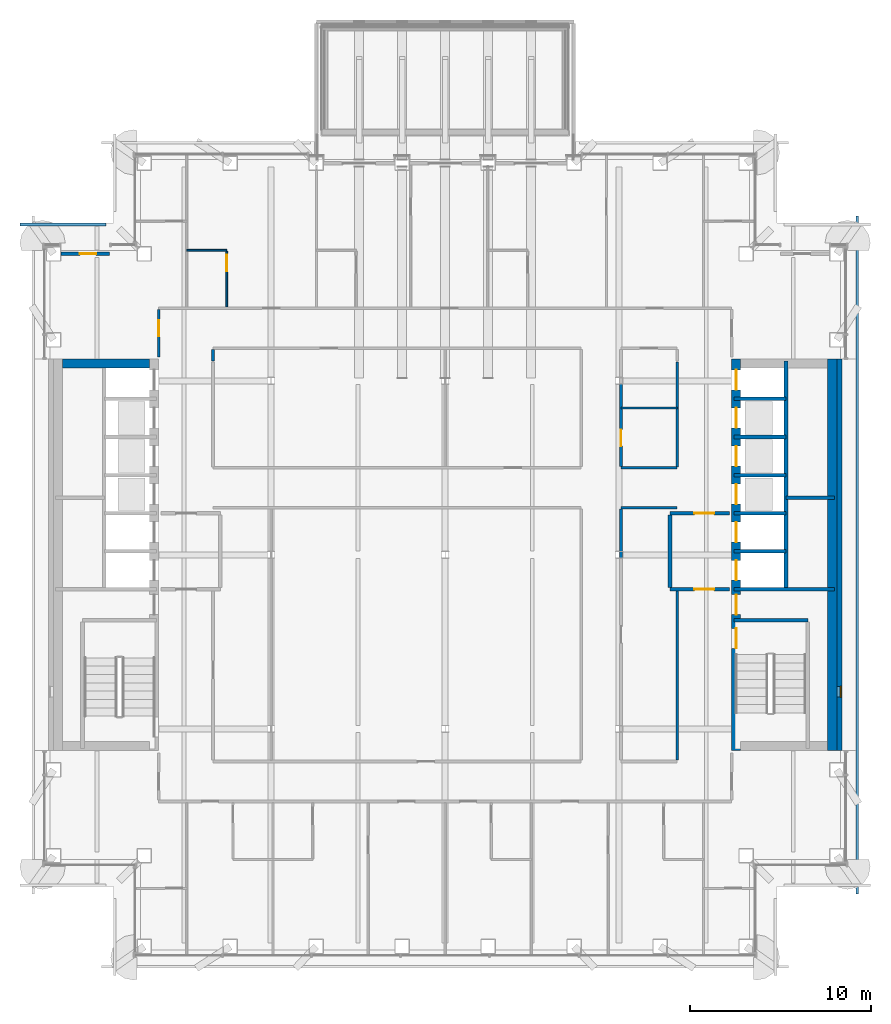
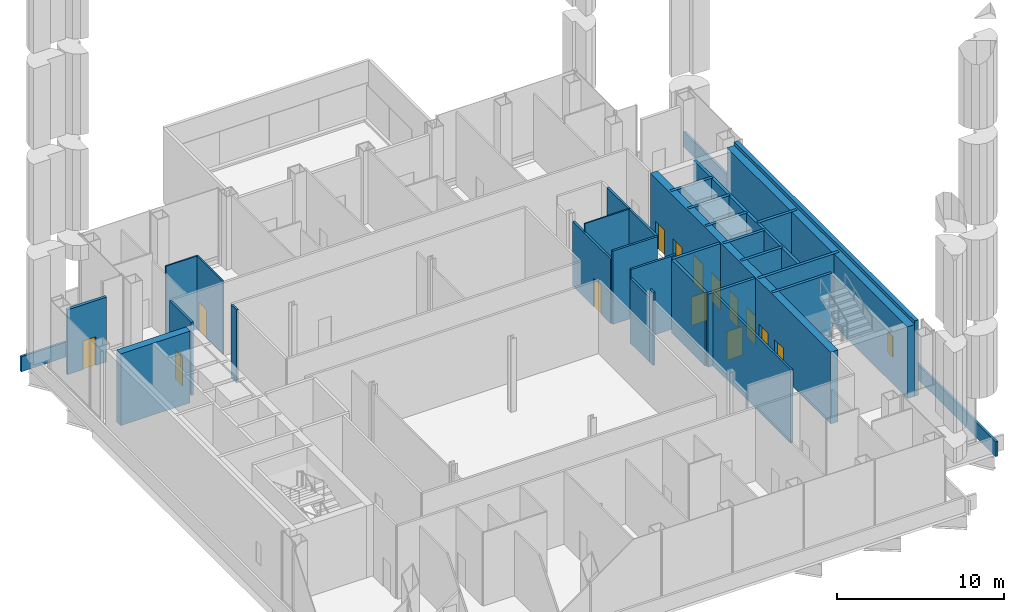
# One storey, part 12 of 22: 31 walls, 14 doors, 1 window, 15 openings.
"""IFC4 building model written with IfcOpenShell, lengths in metres."""

from ifc_helpers import new_model, si_unit, direction, frame, frame_2d, origin, place, context, subcontext, project, spatial, rectangle, extrude, material, layer, layer_set, type_object, element, fill, save


model = new_model("IFC4")

# Units and contexts
model_context = context("Model", 3, precision=1e-05, world=origin(), true_north=direction((0.0, 1.0)))
body_context = subcontext(model_context, "Body", "Model", "MODEL_VIEW")
ifc_project = project(units=[si_unit("LENGTHUNIT", "METRE"), si_unit("AREAUNIT", "SQUARE_METRE"), si_unit("VOLUMEUNIT", "CUBIC_METRE"), si_unit("PLANEANGLEUNIT", "RADIAN"), si_unit("MASSUNIT", "GRAM", prefix="KILO")], contexts=[model_context])

# Site, building, storey
site_placement = place(None, origin())
site = spatial("IfcSite", under=ifc_project, at=site_placement, CompositionType="ELEMENT")
building_placement = place(site_placement, origin())
building = spatial("IfcBuilding", under=site, at=building_placement, Name="Cobrizo Arcos Hotel Tower", CompositionType="ELEMENT")
storey_placement = place(building_placement, frame((0.0, 0.0, 142.5)))
storey = spatial("IfcBuildingStorey", under=building, at=storey_placement, Name="L36", CompositionType="ELEMENT", Elevation=142.5)

# Walls
ifc_material_1 = material(Name="Gypsum board partition")
ifc_layer_1 = layer(ifc_material_1, 0.14990234375)
ifc_layer_set_1 = layer_set([ifc_layer_1], Name="Corridor wall EI 60 150")
wall_type_1 = type_object("IfcWallType", Name="Corridor wall EI 60 150", PredefinedType="PARTITIONING", material=ifc_layer_set_1)
for number, where, z_axis, x_axis, name in (
    (1, (9.699951171875, 2.60009765625, 0.0), (0.0, 0.0, 1.0), (1.0, 0.0, 0.0), "Partition 022"),
    (2, (9.699951171875, 4.800048828125, 0.0), (0.0, 0.0, 1.0), (1.0, 0.0, 0.0), "Partition 028"),
):
    element("IfcWall", number, at=place(storey_placement, frame(where, z_axis=z_axis, x_axis=x_axis)), inside=storey, type_object=wall_type_1, Name=name, PredefinedType="PARTITIONING", context=body_context, shape_type="SweptSolid", body=[
        extrude(rectangle(XDim=3.10009765625, YDim=0.14990234375, at=frame_2d((1.550048828125, 0.0))), origin(), (0.0, 0.0, 1.0), 5.35009765625),
    ])

# Wall, opening, door
wall_1_placement = place(storey_placement, frame((-15.800048828125, 10.919921875, 0.0), z_axis=(0.0, 0.0, 1.0), x_axis=(0.0, 1.0, 0.0)))
wall_1 = element("IfcWall", 3, at=wall_1_placement, inside=storey, type_object=wall_type_1, Name="Partition 047", PredefinedType="PARTITIONING", context=body_context, shape_type="SweptSolid", body=[
    extrude(rectangle(XDim=2.60498046875, YDim=0.14990234375, at=frame_2d((1.302490234375, 0.0))), origin(), (0.0, 0.0, 1.0), 5.35009765625),
])
opening_1_placement = place(wall_1_placement, frame((1.1298828125, 0.0, 0.0)))
opening_1 = element("IfcOpeningElement", 4, at=opening_1_placement, cuts=wall_1, Name="Opening RD-13", PredefinedType="OPENING", context=body_context, shape_type="SweptSolid", body=[
    extrude(rectangle(XDim=0.89990234375, YDim=2.10009765625, at=frame_2d((0.449951171875, 1.050048828125))), frame((0.0, 0.0869140625, 0.0), z_axis=(0.0, -1.0, 0.0), x_axis=(1.0, 0.0, 0.0)), (0.0, 0.0, 1.0), 0.173828125),
])
ifc_material_2 = material(Name="Timber door leaf", Category="wood")
door_type_1 = type_object("IfcDoorType", Name="Room door FD30 900x2100", OperationType="SINGLE_SWING_LEFT", PredefinedType="DOOR", material=ifc_material_2)
door_1_placement = place(opening_1_placement, origin())
door_1 = element("IfcDoor", 5, at=door_1_placement, inside=storey, type_object=door_type_1, Name="Door RD-13", OperationType="SINGLE_SWING_LEFT", OverallHeight=2.10009765625, OverallWidth=0.89990234375, PredefinedType="DOOR", context=body_context, shape_type="SweptSolid", body=[
    extrude(rectangle(XDim=0.89990234375, YDim=2.10009765625, at=frame_2d((0.449951171875, 1.050048828125))), frame((0.0, 0.02490234375, 0.0), z_axis=(0.0, -1.0, 0.0), x_axis=(1.0, 0.0, 0.0)), (0.0, 0.0, 1.0), 0.050048828125),
])
fill(opening_1, door_1)

# Walls
wall_2_placement = place(storey_placement, frame((-12.800048828125, 10.699951171875, 0.0), z_axis=(0.0, 0.0, 1.0), x_axis=(0.0, 1.0, 0.0)))
element("IfcWall", 6, at=wall_2_placement, inside=storey, type_object=wall_type_1, Name="Partition 052", PredefinedType="PARTITIONING", context=body_context, shape_type="SweptSolid", body=[
    extrude(rectangle(XDim=0.625, YDim=0.14990234375, at=frame_2d((0.3125, 0.0))), origin(), (0.0, 0.0, 1.0), 5.35009765625),
])
wall_3_placement = place(storey_placement, frame((9.699951171875, -0.18701171875, 0.0), z_axis=(0.0, 0.0, 1.0), x_axis=(0.0, 1.0, 0.0)))
element("IfcWall", 7, at=wall_3_placement, inside=storey, type_object=wall_type_1, Name="Partition 085", PredefinedType="PARTITIONING", context=body_context, shape_type="SweptSolid", body=[
    extrude(rectangle(XDim=0.3740234375, YDim=0.14990234375, at=frame_2d((0.18701171875, 0.0))), origin(), (0.0, 0.0, 1.0), 5.35009765625),
])
wall_4_placement = place(storey_placement, frame((9.699951171875, 0.18701171875, 0.0), z_axis=(0.0, 0.0, 1.0), x_axis=(0.0, 1.0, 0.0)))
element("IfcWall", 8, at=wall_4_placement, inside=storey, type_object=wall_type_1, Name="Partition 086", PredefinedType="PARTITIONING", context=body_context, shape_type="SweptSolid", body=[
    extrude(rectangle(XDim=2.337890625, YDim=0.14990234375, at=frame_2d((1.1689453125, 0.0))), origin(), (0.0, 0.0, 1.0), 4.72802734375),
])

# Wall, opening, door
wall_5_placement = place(storey_placement, frame((9.699951171875, 4.875, 0.0), z_axis=(0.0, 0.0, 1.0), x_axis=(0.0, 1.0, 0.0)))
wall_5 = element("IfcWall", 9, at=wall_5_placement, inside=storey, type_object=wall_type_1, Name="Partition 087", PredefinedType="PARTITIONING", context=body_context, shape_type="SweptSolid", body=[
    extrude(rectangle(XDim=4.5380859375, YDim=0.14990234375, at=frame_2d((2.26904296875, 0.0))), origin(), (0.0, 0.0, 1.0), 4.72802734375),
])
opening_2_placement = place(wall_5_placement, frame((1.125, 0.0, 0.0)))
opening_2 = element("IfcOpeningElement", 10, at=opening_2_placement, cuts=wall_5, Name="Opening ED-12", PredefinedType="OPENING", context=body_context, shape_type="SweptSolid", body=[
    extrude(rectangle(XDim=0.89990234375, YDim=2.10009765625, at=frame_2d((0.449951171875, 1.050048828125))), frame((0.0, 0.0869140625, 0.0), z_axis=(0.0, -1.0, 0.0), x_axis=(1.0, 0.0, 0.0)), (0.0, 0.0, 1.0), 0.173828125),
])
door_type_2 = type_object("IfcDoorType", Name="En-suite door 900x2100", OperationType="SINGLE_SWING_LEFT", PredefinedType="DOOR", material=ifc_material_2)
door_2_placement = place(opening_2_placement, origin())
door_2 = element("IfcDoor", 11, at=door_2_placement, inside=storey, type_object=door_type_2, Name="Door ED-12", OperationType="SINGLE_SWING_RIGHT", OverallHeight=2.10009765625, OverallWidth=0.89990234375, PredefinedType="DOOR", context=body_context, shape_type="SweptSolid", body=[
    extrude(rectangle(XDim=0.89990234375, YDim=2.10009765625, at=frame_2d((0.449951171875, 1.050048828125))), frame((0.0, 0.02490234375, 0.0), z_axis=(0.0, -1.0, 0.0), x_axis=(1.0, 0.0, 0.0)), (0.0, 0.0, 1.0), 0.050048828125),
])
fill(opening_2, door_2)

# Walls
wall_6_placement = place(storey_placement, frame((12.800048828125, -11.324951171875, 0.0), z_axis=(0.0, 0.0, 1.0), x_axis=(0.0, 1.0, 0.0)))
element("IfcWall", 12, at=wall_6_placement, inside=storey, type_object=wall_type_1, Name="Partition 092", PredefinedType="PARTITIONING", context=body_context, shape_type="SweptSolid", body=[
    extrude(rectangle(XDim=9.324951171875, YDim=0.14990234375, at=frame_2d((4.66259765625, 0.0))), origin(), (0.0, 0.0, 1.0), 5.35009765625),
])
wall_7_placement = place(storey_placement, frame((12.800048828125, 4.85009765625, 0.0), z_axis=(0.0, 0.0, 1.0), x_axis=(0.0, 1.0, 0.0)))
element("IfcWall", 13, at=wall_7_placement, inside=storey, type_object=wall_type_1, Name="Partition 093", PredefinedType="PARTITIONING", context=body_context, shape_type="SweptSolid", body=[
    extrude(rectangle(XDim=5.7998046875, YDim=0.14990234375, at=frame_2d((2.89990234375, 0.0))), origin(), (0.0, 0.0, 1.0), 5.35009765625),
])

# Wall, opening, window
ifc_material_3 = material(Name="Aluminium composite panel pale metal", Category="aluminium")
ifc_layer_2 = layer(ifc_material_3, 0.27490234375)
ifc_layer_set_2 = layer_set([ifc_layer_2], Name="EW-1 insulated panel wall 275")
wall_type_2 = type_object("IfcWallType", Name="EW-1 insulated panel wall 275", PredefinedType="SOLIDWALL", material=ifc_layer_set_2)
wall_8_placement = place(storey_placement, frame((21.737548828125, -10.800048828125, 0.0), z_axis=(0.0, 0.0, 1.0), x_axis=(0.0, 1.0, 0.0)))
wall_8 = element("IfcWall", 14, at=wall_8_placement, inside=storey, type_object=wall_type_2, Name="Core face wall L36 E", PredefinedType="SOLIDWALL", context=body_context, shape_type="SweptSolid", body=[
    extrude(rectangle(XDim=21.60009765625, YDim=0.27490234375, at=frame_2d((10.800048828125, 0.0))), origin(), (0.0, 0.0, 1.0), 5.5),
])
opening_3_placement = place(wall_8_placement, frame((2.949951171875, 0.0, 1.0)))
opening_3 = element("IfcOpeningElement", 15, at=opening_3_placement, cuts=wall_8, Name="Opening W-79", PredefinedType="OPENING", context=body_context, shape_type="SweptSolid", body=[
    extrude(rectangle(XDim=0.60009765625, YDim=1.5, at=frame_2d((0.300048828125, 0.75))), frame((0.0, 0.1494140625, 0.0), z_axis=(0.0, -1.0, 0.0), x_axis=(1.0, 0.0, 0.0)), (0.0, 0.0, 1.0), 0.298828125),
])
ifc_material_4 = material(Name="Aluminium 6063-T6 and clear laminated glass", Category="aluminium")
window_type = type_object("IfcWindowType", Name="W-C1 core stair slot window 600x1500", PartitioningType="SINGLE_PANEL", PredefinedType="WINDOW", material=ifc_material_4)
window_placement = place(opening_3_placement, origin())
window = element("IfcWindow", 16, at=window_placement, inside=storey, type_object=window_type, Name="Core face wall L36 E window W-79", OverallHeight=1.5, OverallWidth=0.60009765625, PartitioningType="SINGLE_PANEL", PredefinedType="WINDOW", context=body_context, shape_type="SweptSolid", body=[
    extrude(rectangle(XDim=0.60009765625, YDim=1.5, at=frame_2d((0.300048828125, 0.75))), frame((0.0, -0.04736328125, 0.0), z_axis=(0.0, -1.0, 0.0), x_axis=(1.0, 0.0, 0.0)), (0.0, 0.0, 1.0), 0.06005859375),
])
fill(opening_3, window)

# Wall, opening, door
ifc_material_5 = material(Name="Aluminium 6063-T6 anodised pale", Category="aluminium")
ifc_layer_3 = layer(ifc_material_5, 0.199951171875)
ifc_layer_set_3 = layer_set([ifc_layer_3], Name="EW-5 terrace door infill wall")
wall_type_3 = type_object("IfcWallType", Name="EW-5 terrace door infill wall", PredefinedType="SOLIDWALL", material=ifc_layer_set_3)
wall_9_placement = place(storey_placement, frame((-18.5, 16.60009765625, 0.0), z_axis=(0.0, 0.0, 1.0), x_axis=(-1.0, 0.0, 0.0)))
wall_9 = element("IfcWall", 17, at=wall_9_placement, inside=storey, type_object=wall_type_3, Name="Terrace door infill wall L36 N", PredefinedType="SOLIDWALL", context=body_context, shape_type="SweptSolid", body=[
    extrude(rectangle(XDim=2.699951171875, YDim=0.199951171875, at=frame_2d((1.35009765625, 0.0))), origin(), (0.0, 0.0, 1.0), 4.742919921875),
])
opening_4_placement = place(wall_9_placement, frame((0.75, 0.0, 0.0)))
opening_4 = element("IfcOpeningElement", 18, at=opening_4_placement, cuts=wall_9, Name="Opening E-17", PredefinedType="OPENING", context=body_context, shape_type="SweptSolid", body=[
    extrude(rectangle(XDim=0.89990234375, YDim=2.10009765625, at=frame_2d((0.449951171875, 1.050048828125))), frame((0.0, 0.112060546875, 0.0), z_axis=(0.0, -1.0, 0.0), x_axis=(1.0, 0.0, 0.0)), (0.0, 0.0, 1.0), 0.223876953125),
])
door_type_3 = type_object("IfcDoorType", Name="D-T1 terrace door 900x2100", OperationType="SINGLE_SWING_LEFT", PredefinedType="DOOR", material=ifc_material_4)
door_3_placement = place(opening_4_placement, origin())
door_3 = element("IfcDoor", 19, at=door_3_placement, inside=storey, type_object=door_type_3, Name="Terrace door infill wall L36 N door E-17", OperationType="SINGLE_SWING_LEFT", OverallHeight=2.10009765625, OverallWidth=0.89990234375, PredefinedType="DOOR", context=body_context, shape_type="SweptSolid", body=[
    extrude(rectangle(XDim=0.89990234375, YDim=2.10009765625, at=frame_2d((0.449951171875, 1.050048828125))), frame((0.0, 0.02490234375, 0.0), z_axis=(0.0, -1.0, 0.0), x_axis=(1.0, 0.0, 0.0)), (0.0, 0.0, 1.0), 0.050048828125),
])
fill(opening_4, door_3)

# Walls
ifc_layer_4 = layer(ifc_material_3, 0.14990234375)
ifc_layer_set_4 = layer_set([ifc_layer_4], Name="PW-3 terrace parapet wall")
wall_type_4 = type_object("IfcWallType", Name="PW-3 terrace parapet wall", PredefinedType="PARAPET", material=ifc_layer_set_4)
wall_10_placement = place(storey_placement, frame((22.72509765625, -18.699951171875, 0.0), z_axis=(0.0, 0.0, 1.0), x_axis=(0.0, 1.0, 0.0)))
element("IfcWall", 20, at=wall_10_placement, inside=storey, type_object=wall_type_4, Name="Parapet L35 E", PredefinedType="PARAPET", context=body_context, shape_type="SweptSolid", body=[
    extrude(rectangle(XDim=37.39990234375, YDim=0.14990234375, at=frame_2d((18.699951171875, 0.0))), origin(), (0.0, 0.0, 1.0), 1.10009765625),
])
wall_11_placement = place(storey_placement, frame((-18.699951171875, 18.22509765625, 0.0), z_axis=(0.0, 0.0, 1.0), x_axis=(-1.0, 0.0, 0.0)))
element("IfcWall", 21, at=wall_11_placement, inside=storey, type_object=wall_type_4, Name="Parapet L35 N", PredefinedType="PARAPET", context=body_context, shape_type="SweptSolid", body=[
    extrude(rectangle(XDim=4.75, YDim=0.14990234375, at=frame_2d((2.375, 0.0))), origin(), (0.0, 0.0, 1.0), 1.10009765625),
])
ifc_layer_5 = layer(ifc_material_1, 0.10009765625)
ifc_layer_set_5 = layer_set([ifc_layer_5], Name="Partition EI 30 100")
wall_type_5 = type_object("IfcWallType", Name="Partition EI 30 100", PredefinedType="PARTITIONING", material=ifc_layer_set_5)
wall_12_placement = place(storey_placement, frame((9.699951171875, 8.10009765625, 0.0), z_axis=(0.0, 0.0, 1.0), x_axis=(1.0, 0.0, 0.0)))
element("IfcWall", 22, at=wall_12_placement, inside=storey, type_object=wall_type_5, Name="Partition 031", PredefinedType="PARTITIONING", context=body_context, shape_type="SweptSolid", body=[
    extrude(rectangle(XDim=3.10009765625, YDim=0.10009765625, at=frame_2d((1.550048828125, 0.0))), origin(), (0.0, 0.0, 1.0), 5.35009765625),
])
wall_13_placement = place(storey_placement, frame((-14.25, 16.800048828125, 0.0), z_axis=(0.0, 0.0, 1.0), x_axis=(1.0, 0.0, 0.0)))
element("IfcWall", 23, at=wall_13_placement, inside=storey, type_object=wall_type_5, Name="Partition 037", PredefinedType="PARTITIONING", context=body_context, shape_type="SweptSolid", body=[
    extrude(rectangle(XDim=2.199951171875, YDim=0.10009765625, at=frame_2d((1.10009765625, 0.0))), origin(), (0.0, 0.0, 1.0), 5.35009765625),
])

# Wall, opening, door
wall_14_placement = place(storey_placement, frame((-12.050048828125, 13.675048828125, 0.0), z_axis=(0.0, 0.0, 1.0), x_axis=(0.0, 1.0, 0.0)))
wall_14 = element("IfcWall", 24, at=wall_14_placement, inside=storey, type_object=wall_type_5, Name="Partition 054", PredefinedType="PARTITIONING", context=body_context, shape_type="SweptSolid", body=[
    extrude(rectangle(XDim=3.074951171875, YDim=0.10009765625, at=frame_2d((1.53759765625, 0.0))), origin(), (0.0, 0.0, 1.0), 5.35009765625),
])
opening_5_placement = place(wall_14_placement, frame((1.970947265625, 0.0, 0.0)))
opening_5 = element("IfcOpeningElement", 25, at=opening_5_placement, cuts=wall_14, Name="Opening ED-01", PredefinedType="OPENING", context=body_context, shape_type="SweptSolid", body=[
    extrude(rectangle(XDim=0.89990234375, YDim=2.10009765625, at=frame_2d((0.449951171875, 1.050048828125))), frame((0.0, 0.06201171875, 0.0), z_axis=(0.0, -1.0, 0.0), x_axis=(1.0, 0.0, 0.0)), (0.0, 0.0, 1.0), 0.1240234375),
])
door_4_placement = place(opening_5_placement, origin())
door_4 = element("IfcDoor", 26, at=door_4_placement, inside=storey, type_object=door_type_2, Name="Door ED-01", OperationType="SINGLE_SWING_LEFT", OverallHeight=2.10009765625, OverallWidth=0.89990234375, PredefinedType="DOOR", context=body_context, shape_type="SweptSolid", body=[
    extrude(rectangle(XDim=0.89990234375, YDim=2.10009765625, at=frame_2d((0.449951171875, 1.050048828125))), frame((0.0, 0.02490234375, 0.0), z_axis=(0.0, -1.0, 0.0), x_axis=(1.0, 0.0, 0.0)), (0.0, 0.0, 1.0), 0.050048828125),
])
fill(opening_5, door_4)

# Wall, openings, doors
ifc_material_6 = material(Name="Concrete f'c 50 MPa", Category="concrete")
ifc_layer_6 = layer(ifc_material_6, 0.5)
ifc_layer_set_6 = layer_set([ifc_layer_6], Name="RC core wall 500 f'c 50")
wall_type_6 = type_object("IfcWallType", Name="RC core wall 500 f'c 50", PredefinedType="SHEAR", material=ifc_layer_set_6)
wall_15_placement = place(storey_placement, frame((16.050048828125, -10.800048828125, 0.0), z_axis=(0.0, 0.0, 1.0), x_axis=(0.0, 1.0, 0.0)))
wall_15 = element("IfcWall", 27, at=wall_15_placement, inside=storey, type_object=wall_type_6, Name="Core wall CW3, east core, inner face, L36", PredefinedType="SHEAR", context=body_context, shape_type="SweptSolid", body=[
    extrude(rectangle(XDim=21.60009765625, YDim=0.5, at=frame_2d((10.800048828125, 0.0))), origin(), (0.0, 0.0, 1.0), 5.25),
])
opening_6_placement = place(wall_15_placement, frame((9.39990234375, 0.0, 0.0)))
opening_6 = element("IfcOpeningElement", 28, at=opening_6_placement, cuts=wall_15, Name="Opening LD-07", PredefinedType="OPENING", context=body_context, shape_type="SweptSolid", body=[
    extrude(rectangle(XDim=1.10009765625, YDim=2.10009765625, at=frame_2d((0.550048828125, 1.050048828125))), frame((0.0, 0.261962890625, 0.0), z_axis=(0.0, -1.0, 0.0), x_axis=(1.0, 0.0, 0.0)), (0.0, 0.0, 1.0), 0.52392578125),
])
opening_7_placement = place(wall_15_placement, frame((11.5, 0.0, 0.0)))
opening_7 = element("IfcOpeningElement", 29, at=opening_7_placement, cuts=wall_15, Name="Opening LD-08", PredefinedType="OPENING", context=body_context, shape_type="SweptSolid", body=[
    extrude(rectangle(XDim=1.10009765625, YDim=2.10009765625, at=frame_2d((0.550048828125, 1.050048828125))), frame((0.0, 0.261962890625, 0.0), z_axis=(0.0, -1.0, 0.0), x_axis=(1.0, 0.0, 0.0)), (0.0, 0.0, 1.0), 0.52392578125),
])
opening_8_placement = place(wall_15_placement, frame((13.60009765625, 0.0, 0.0)))
opening_8 = element("IfcOpeningElement", 30, at=opening_8_placement, cuts=wall_15, Name="Opening LD-09", PredefinedType="OPENING", context=body_context, shape_type="SweptSolid", body=[
    extrude(rectangle(XDim=1.10009765625, YDim=2.10009765625, at=frame_2d((0.550048828125, 1.050048828125))), frame((0.0, 0.261962890625, 0.0), z_axis=(0.0, -1.0, 0.0), x_axis=(1.0, 0.0, 0.0)), (0.0, 0.0, 1.0), 0.52392578125),
])
opening_9_placement = place(wall_15_placement, frame((15.699951171875, 0.0, 0.0)))
opening_9 = element("IfcOpeningElement", 31, at=opening_9_placement, cuts=wall_15, Name="Opening LD-10", PredefinedType="OPENING", context=body_context, shape_type="SweptSolid", body=[
    extrude(rectangle(XDim=1.10009765625, YDim=2.10009765625, at=frame_2d((0.550048828125, 1.050048828125))), frame((0.0, 0.261962890625, 0.0), z_axis=(0.0, -1.0, 0.0), x_axis=(1.0, 0.0, 0.0)), (0.0, 0.0, 1.0), 0.52392578125),
])
opening_10_placement = place(wall_15_placement, frame((17.800048828125, 0.0, 0.0)))
opening_10 = element("IfcOpeningElement", 32, at=opening_10_placement, cuts=wall_15, Name="Opening LD-11", PredefinedType="OPENING", context=body_context, shape_type="SweptSolid", body=[
    extrude(rectangle(XDim=1.10009765625, YDim=2.10009765625, at=frame_2d((0.550048828125, 1.050048828125))), frame((0.0, 0.261962890625, 0.0), z_axis=(0.0, -1.0, 0.0), x_axis=(1.0, 0.0, 0.0)), (0.0, 0.0, 1.0), 0.52392578125),
])
opening_11_placement = place(wall_15_placement, frame((19.89990234375, 0.0, 0.0)))
opening_11 = element("IfcOpeningElement", 33, at=opening_11_placement, cuts=wall_15, Name="Opening LD-12", PredefinedType="OPENING", context=body_context, shape_type="SweptSolid", body=[
    extrude(rectangle(XDim=1.10009765625, YDim=2.10009765625, at=frame_2d((0.550048828125, 1.050048828125))), frame((0.0, 0.261962890625, 0.0), z_axis=(0.0, -1.0, 0.0), x_axis=(1.0, 0.0, 0.0)), (0.0, 0.0, 1.0), 0.52392578125),
])
opening_12_placement = place(wall_15_placement, frame((5.64208984375, 0.0, 0.0)))
opening_12 = element("IfcOpeningElement", 34, at=opening_12_placement, cuts=wall_15, Name="Opening SD-02", PredefinedType="OPENING", context=body_context, shape_type="SweptSolid", body=[
    extrude(rectangle(XDim=1.10009765625, YDim=2.10009765625, at=frame_2d((0.550048828125, 1.050048828125))), frame((0.0, 0.261962890625, 0.0), z_axis=(0.0, -1.0, 0.0), x_axis=(1.0, 0.0, 0.0)), (0.0, 0.0, 1.0), 0.52392578125),
])
opening_13_placement = place(wall_15_placement, frame((7.5, 0.0, 0.0)))
opening_13 = element("IfcOpeningElement", 35, at=opening_13_placement, cuts=wall_15, Name="Opening FD-04", PredefinedType="OPENING", context=body_context, shape_type="SweptSolid", body=[
    extrude(rectangle(XDim=1.10009765625, YDim=2.10009765625, at=frame_2d((0.550048828125, 1.050048828125))), frame((0.0, 0.261962890625, 0.0), z_axis=(0.0, -1.0, 0.0), x_axis=(1.0, 0.0, 0.0)), (0.0, 0.0, 1.0), 0.52392578125),
])
ifc_material_7 = material(Name="Steel door leaf", Category="steel")
door_type_4 = type_object("IfcDoorType", Name="Fire door FD60 1100x2100", OperationType="SINGLE_SWING_LEFT", PredefinedType="DOOR", material=ifc_material_7)
door_5_placement = place(opening_13_placement, origin())
door_5 = element("IfcDoor", 36, at=door_5_placement, inside=storey, type_object=door_type_4, Name="Door FD-04", OperationType="SINGLE_SWING_LEFT", OverallHeight=2.10009765625, OverallWidth=1.10009765625, PredefinedType="DOOR", context=body_context, shape_type="SweptSolid", body=[
    extrude(rectangle(XDim=1.10009765625, YDim=2.10009765625, at=frame_2d((0.550048828125, 1.050048828125))), frame((0.0, 0.02490234375, 0.0), z_axis=(0.0, -1.0, 0.0), x_axis=(1.0, 0.0, 0.0)), (0.0, 0.0, 1.0), 0.050048828125),
])
fill(opening_13, door_5)
door_type_5 = type_object("IfcDoorType", Name="Lift landing door 1100x2100", OperationType="SLIDING_TO_LEFT", PredefinedType="DOOR", material=ifc_material_7)
door_6_placement = place(opening_6_placement, origin())
door_6 = element("IfcDoor", 37, at=door_6_placement, inside=storey, type_object=door_type_5, Name="Lift landing door LD-07", OperationType="SLIDING_TO_LEFT", OverallHeight=2.10009765625, OverallWidth=1.10009765625, PredefinedType="DOOR", context=body_context, shape_type="SweptSolid", body=[
    extrude(rectangle(XDim=1.10009765625, YDim=2.10009765625, at=frame_2d((0.550048828125, 1.050048828125))), frame((0.0, 0.02490234375, 0.0), z_axis=(0.0, -1.0, 0.0), x_axis=(1.0, 0.0, 0.0)), (0.0, 0.0, 1.0), 0.050048828125),
])
fill(opening_6, door_6)
door_7_placement = place(opening_7_placement, origin())
door_7 = element("IfcDoor", 38, at=door_7_placement, inside=storey, type_object=door_type_5, Name="Lift landing door LD-08", OperationType="SLIDING_TO_LEFT", OverallHeight=2.10009765625, OverallWidth=1.10009765625, PredefinedType="DOOR", context=body_context, shape_type="SweptSolid", body=[
    extrude(rectangle(XDim=1.10009765625, YDim=2.10009765625, at=frame_2d((0.550048828125, 1.050048828125))), frame((0.0, 0.02490234375, 0.0), z_axis=(0.0, -1.0, 0.0), x_axis=(1.0, 0.0, 0.0)), (0.0, 0.0, 1.0), 0.050048828125),
])
fill(opening_7, door_7)
door_8_placement = place(opening_8_placement, origin())
door_8 = element("IfcDoor", 39, at=door_8_placement, inside=storey, type_object=door_type_5, Name="Lift landing door LD-09", OperationType="SLIDING_TO_LEFT", OverallHeight=2.10009765625, OverallWidth=1.10009765625, PredefinedType="DOOR", context=body_context, shape_type="SweptSolid", body=[
    extrude(rectangle(XDim=1.10009765625, YDim=2.10009765625, at=frame_2d((0.550048828125, 1.050048828125))), frame((0.0, 0.02490234375, 0.0), z_axis=(0.0, -1.0, 0.0), x_axis=(1.0, 0.0, 0.0)), (0.0, 0.0, 1.0), 0.050048828125),
])
fill(opening_8, door_8)
door_9_placement = place(opening_9_placement, origin())
door_9 = element("IfcDoor", 40, at=door_9_placement, inside=storey, type_object=door_type_5, Name="Lift landing door LD-10", OperationType="SLIDING_TO_LEFT", OverallHeight=2.10009765625, OverallWidth=1.10009765625, PredefinedType="DOOR", context=body_context, shape_type="SweptSolid", body=[
    extrude(rectangle(XDim=1.10009765625, YDim=2.10009765625, at=frame_2d((0.550048828125, 1.050048828125))), frame((0.0, 0.02490234375, 0.0), z_axis=(0.0, -1.0, 0.0), x_axis=(1.0, 0.0, 0.0)), (0.0, 0.0, 1.0), 0.050048828125),
])
fill(opening_9, door_9)
door_10_placement = place(opening_10_placement, origin())
door_10 = element("IfcDoor", 41, at=door_10_placement, inside=storey, type_object=door_type_5, Name="Lift landing door LD-11", OperationType="SLIDING_TO_LEFT", OverallHeight=2.10009765625, OverallWidth=1.10009765625, PredefinedType="DOOR", context=body_context, shape_type="SweptSolid", body=[
    extrude(rectangle(XDim=1.10009765625, YDim=2.10009765625, at=frame_2d((0.550048828125, 1.050048828125))), frame((0.0, 0.02490234375, 0.0), z_axis=(0.0, -1.0, 0.0), x_axis=(1.0, 0.0, 0.0)), (0.0, 0.0, 1.0), 0.050048828125),
])
fill(opening_10, door_10)
door_11_placement = place(opening_11_placement, origin())
door_11 = element("IfcDoor", 42, at=door_11_placement, inside=storey, type_object=door_type_5, Name="Lift landing door LD-12", OperationType="SLIDING_TO_LEFT", OverallHeight=2.10009765625, OverallWidth=1.10009765625, PredefinedType="DOOR", context=body_context, shape_type="SweptSolid", body=[
    extrude(rectangle(XDim=1.10009765625, YDim=2.10009765625, at=frame_2d((0.550048828125, 1.050048828125))), frame((0.0, 0.02490234375, 0.0), z_axis=(0.0, -1.0, 0.0), x_axis=(1.0, 0.0, 0.0)), (0.0, 0.0, 1.0), 0.050048828125),
])
fill(opening_11, door_11)
door_type_6 = type_object("IfcDoorType", Name="Stair door FD60S 1100x2100", OperationType="SINGLE_SWING_LEFT", PredefinedType="DOOR", material=ifc_material_7)
door_12_placement = place(opening_12_placement, origin())
door_12 = element("IfcDoor", 43, at=door_12_placement, inside=storey, type_object=door_type_6, Name="Door SD-02", OperationType="SINGLE_SWING_RIGHT", OverallHeight=2.10009765625, OverallWidth=1.10009765625, PredefinedType="DOOR", context=body_context, shape_type="SweptSolid", body=[
    extrude(rectangle(XDim=1.10009765625, YDim=2.10009765625, at=frame_2d((0.550048828125, 1.050048828125))), frame((0.0, 0.02490234375, 0.0), z_axis=(0.0, -1.0, 0.0), x_axis=(1.0, 0.0, 0.0)), (0.0, 0.0, 1.0), 0.050048828125),
])
fill(opening_12, door_12)

# Walls
wall_16_placement = place(storey_placement, frame((21.35009765625, -10.800048828125, 0.0), z_axis=(0.0, 0.0, 1.0), x_axis=(0.0, 1.0, 0.0)))
element("IfcWall", 44, at=wall_16_placement, inside=storey, type_object=wall_type_6, Name="Core wall CW3, east core, outer face, L36", PredefinedType="SHEAR", context=body_context, shape_type="SweptSolid", body=[
    extrude(rectangle(XDim=21.60009765625, YDim=0.5, at=frame_2d((10.800048828125, 0.0))), origin(), (0.0, 0.0, 1.0), 5.25),
])
wall_17_placement = place(storey_placement, frame((-21.10009765625, 10.550048828125, 0.0), z_axis=(0.0, 0.0, 1.0), x_axis=(1.0, 0.0, 0.0)))
element("IfcWall", 45, at=wall_17_placement, inside=storey, type_object=wall_type_6, Name="Core wall CW3, west core, north end, L36", PredefinedType="SHEAR", context=body_context, shape_type="SweptSolid", body=[
    extrude(rectangle(XDim=4.800048828125, YDim=0.5, at=frame_2d((2.39990234375, 0.0))), origin(), (0.0, 0.0, 1.0), 5.25),
])

# Wall, opening, door
ifc_layer_7 = layer(ifc_material_1, 0.199951171875)
ifc_layer_set_7 = layer_set([ifc_layer_7], Name="Shaft wall EI 120 200")
wall_type_7 = type_object("IfcWallType", Name="Shaft wall EI 120 200", PredefinedType="PARTITIONING", material=ifc_layer_set_7)
wall_18_placement = place(storey_placement, frame((12.39990234375, -1.89990234375, 0.0), z_axis=(0.0, 0.0, 1.0), x_axis=(1.0, 0.0, 0.0)))
wall_18 = element("IfcWall", 46, at=wall_18_placement, inside=storey, type_object=wall_type_7, Name="Partition 013", PredefinedType="PARTITIONING", context=body_context, shape_type="SweptSolid", body=[
    extrude(rectangle(XDim=3.280029296875, YDim=0.199951171875, at=frame_2d((1.64013671875, 0.0))), origin(), (0.0, 0.0, 1.0), 5.35009765625),
])
opening_14_placement = place(wall_18_placement, frame((1.340087890625, 0.0, 0.0)))
opening_14 = element("IfcOpeningElement", 47, at=opening_14_placement, cuts=wall_18, Name="Opening FD-06", PredefinedType="OPENING", context=body_context, shape_type="SweptSolid", body=[
    extrude(rectangle(XDim=1.10009765625, YDim=2.10009765625, at=frame_2d((0.550048828125, 1.050048828125))), frame((0.0, 0.112060546875, 0.0), z_axis=(0.0, -1.0, 0.0), x_axis=(1.0, 0.0, 0.0)), (0.0, 0.0, 1.0), 0.223876953125),
])
door_13_placement = place(opening_14_placement, origin())
door_13 = element("IfcDoor", 48, at=door_13_placement, inside=storey, type_object=door_type_4, Name="Door FD-06", OperationType="SINGLE_SWING_RIGHT", OverallHeight=2.10009765625, OverallWidth=1.10009765625, PredefinedType="DOOR", context=body_context, shape_type="SweptSolid", body=[
    extrude(rectangle(XDim=1.10009765625, YDim=2.10009765625, at=frame_2d((0.550048828125, 1.050048828125))), frame((0.0, 0.02490234375, 0.0), z_axis=(0.0, -1.0, 0.0), x_axis=(1.0, 0.0, 0.0)), (0.0, 0.0, 1.0), 0.050048828125),
])
fill(opening_14, door_13)

# Walls
wall_19_placement = place(storey_placement, frame((15.919921875, -1.89990234375, 0.0), z_axis=(0.0, 0.0, 1.0), x_axis=(1.0, 0.0, 0.0)))
element("IfcWall", 49, at=wall_19_placement, inside=storey, type_object=wall_type_7, Name="Partition 014", PredefinedType="PARTITIONING", context=body_context, shape_type="SweptSolid", body=[
    extrude(rectangle(XDim=5.56005859375, YDim=0.199951171875, at=frame_2d((2.780029296875, 0.0))), origin(), (0.0, 0.0, 1.0), 5.25),
])
wall_20_placement = place(storey_placement, frame((15.919921875, 0.199951171875, 0.0), z_axis=(0.0, 0.0, 1.0), x_axis=(1.0, 0.0, 0.0)))
element("IfcWall", 50, at=wall_20_placement, inside=storey, type_object=wall_type_7, Name="Partition 016", PredefinedType="PARTITIONING", context=body_context, shape_type="SweptSolid", body=[
    extrude(rectangle(XDim=2.880126953125, YDim=0.199951171875, at=frame_2d((1.43994140625, 0.0))), origin(), (0.0, 0.0, 1.0), 5.25),
])

# Wall, opening, door
wall_21_placement = place(storey_placement, frame((12.39990234375, 2.300048828125, 0.0), z_axis=(0.0, 0.0, 1.0), x_axis=(1.0, 0.0, 0.0)))
wall_21 = element("IfcWall", 51, at=wall_21_placement, inside=storey, type_object=wall_type_7, Name="Partition 019", PredefinedType="PARTITIONING", context=body_context, shape_type="SweptSolid", body=[
    extrude(rectangle(XDim=3.280029296875, YDim=0.199951171875, at=frame_2d((1.64013671875, 0.0))), origin(), (0.0, 0.0, 1.0), 5.35009765625),
])
opening_15_placement = place(wall_21_placement, frame((1.340087890625, 0.0, 0.0)))
opening_15 = element("IfcOpeningElement", 52, at=opening_15_placement, cuts=wall_21, Name="Opening FD-05", PredefinedType="OPENING", context=body_context, shape_type="SweptSolid", body=[
    extrude(rectangle(XDim=1.10009765625, YDim=2.10009765625, at=frame_2d((0.550048828125, 1.050048828125))), frame((0.0, 0.112060546875, 0.0), z_axis=(0.0, -1.0, 0.0), x_axis=(1.0, 0.0, 0.0)), (0.0, 0.0, 1.0), 0.223876953125),
])
door_14_placement = place(opening_15_placement, origin())
door_14 = element("IfcDoor", 53, at=door_14_placement, inside=storey, type_object=door_type_4, Name="Door FD-05", OperationType="SINGLE_SWING_RIGHT", OverallHeight=2.10009765625, OverallWidth=1.10009765625, PredefinedType="DOOR", context=body_context, shape_type="SweptSolid", body=[
    extrude(rectangle(XDim=1.10009765625, YDim=2.10009765625, at=frame_2d((0.550048828125, 1.050048828125))), frame((0.0, 0.02490234375, 0.0), z_axis=(0.0, -1.0, 0.0), x_axis=(1.0, 0.0, 0.0)), (0.0, 0.0, 1.0), 0.050048828125),
])
fill(opening_15, door_14)

# Walls
wall_22_placement = place(storey_placement, frame((15.919921875, 2.300048828125, 0.0), z_axis=(0.0, 0.0, 1.0), x_axis=(1.0, 0.0, 0.0)))
element("IfcWall", 54, at=wall_22_placement, inside=storey, type_object=wall_type_7, Name="Partition 020", PredefinedType="PARTITIONING", context=body_context, shape_type="SweptSolid", body=[
    extrude(rectangle(XDim=2.880126953125, YDim=0.199951171875, at=frame_2d((1.43994140625, 0.0))), origin(), (0.0, 0.0, 1.0), 5.25),
])
wall_23_placement = place(storey_placement, frame((18.800048828125, 3.14990234375, 0.0), z_axis=(0.0, 0.0, 1.0), x_axis=(1.0, 0.0, 0.0)))
element("IfcWall", 55, at=wall_23_placement, inside=storey, type_object=wall_type_7, Name="Partition 024", PredefinedType="PARTITIONING", context=body_context, shape_type="SweptSolid", body=[
    extrude(rectangle(XDim=2.679931640625, YDim=0.199951171875, at=frame_2d((1.33984375, 0.0))), origin(), (0.0, 0.0, 1.0), 5.25),
])
for number, where, z_axis, x_axis, name in (
    (56, (15.919921875, 4.39990234375, 0.0), (0.0, 0.0, 1.0), (1.0, 0.0, 0.0), "Partition 026"),
    (57, (15.919921875, 6.5, 0.0), (0.0, 0.0, 1.0), (1.0, 0.0, 0.0), "Partition 030"),
    (58, (15.919921875, 8.60009765625, 0.0), (0.0, 0.0, 1.0), (1.0, 0.0, 0.0), "Partition 033"),
):
    element("IfcWall", number, at=place(storey_placement, frame(where, z_axis=z_axis, x_axis=x_axis)), inside=storey, type_object=wall_type_7, Name=name, PredefinedType="PARTITIONING", context=body_context, shape_type="SweptSolid", body=[
        extrude(rectangle(XDim=2.880126953125, YDim=0.199951171875, at=frame_2d((1.43994140625, 0.0))), origin(), (0.0, 0.0, 1.0), 5.25),
    ])
wall_24_placement = place(storey_placement, frame((12.39990234375, -1.800048828125, 0.0), z_axis=(0.0, 0.0, 1.0), x_axis=(0.0, 1.0, 0.0)))
element("IfcWall", 59, at=wall_24_placement, inside=storey, type_object=wall_type_7, Name="Partition 091", PredefinedType="PARTITIONING", context=body_context, shape_type="SweptSolid", body=[
    extrude(rectangle(XDim=4.0, YDim=0.199951171875, at=frame_2d((2.0, 0.0))), origin(), (0.0, 0.0, 1.0), 5.35009765625),
])
wall_25_placement = place(storey_placement, frame((18.800048828125, -1.800048828125, 0.0), z_axis=(0.0, 0.0, 1.0), x_axis=(0.0, 1.0, 0.0)))
element("IfcWall", 60, at=wall_25_placement, inside=storey, type_object=wall_type_7, Name="Partition 099", PredefinedType="PARTITIONING", context=body_context, shape_type="SweptSolid", body=[
    extrude(rectangle(XDim=12.47998046875, YDim=0.199951171875, at=frame_2d((6.239990234375, 0.0))), origin(), (0.0, 0.0, 1.0), 5.25),
])
ifc_material_8 = material(Name="Concrete f'c 40 MPa", Category="concrete")
ifc_layer_8 = layer(ifc_material_8, 0.199951171875)
ifc_layer_set_8 = layer_set([ifc_layer_8], Name="Stair shaft wall 200")
wall_type_8 = type_object("IfcWallType", Name="Stair shaft wall 200", PredefinedType="SHEAR", material=ifc_layer_set_8)
wall_26_placement = place(storey_placement, frame((15.919921875, -3.60009765625, 0.0), z_axis=(0.0, 0.0, 1.0), x_axis=(1.0, 0.0, 0.0)))
element("IfcWall", 61, at=wall_26_placement, inside=storey, type_object=wall_type_8, Name="Stair shaft wall E", PredefinedType="SHEAR", context=body_context, shape_type="SweptSolid", body=[
    extrude(rectangle(XDim=4.080078125, YDim=0.199951171875, at=frame_2d((2.0400390625, 0.0))), origin(), (0.0, 0.0, 1.0), 5.25),
])

save(model, "model.ifc")
